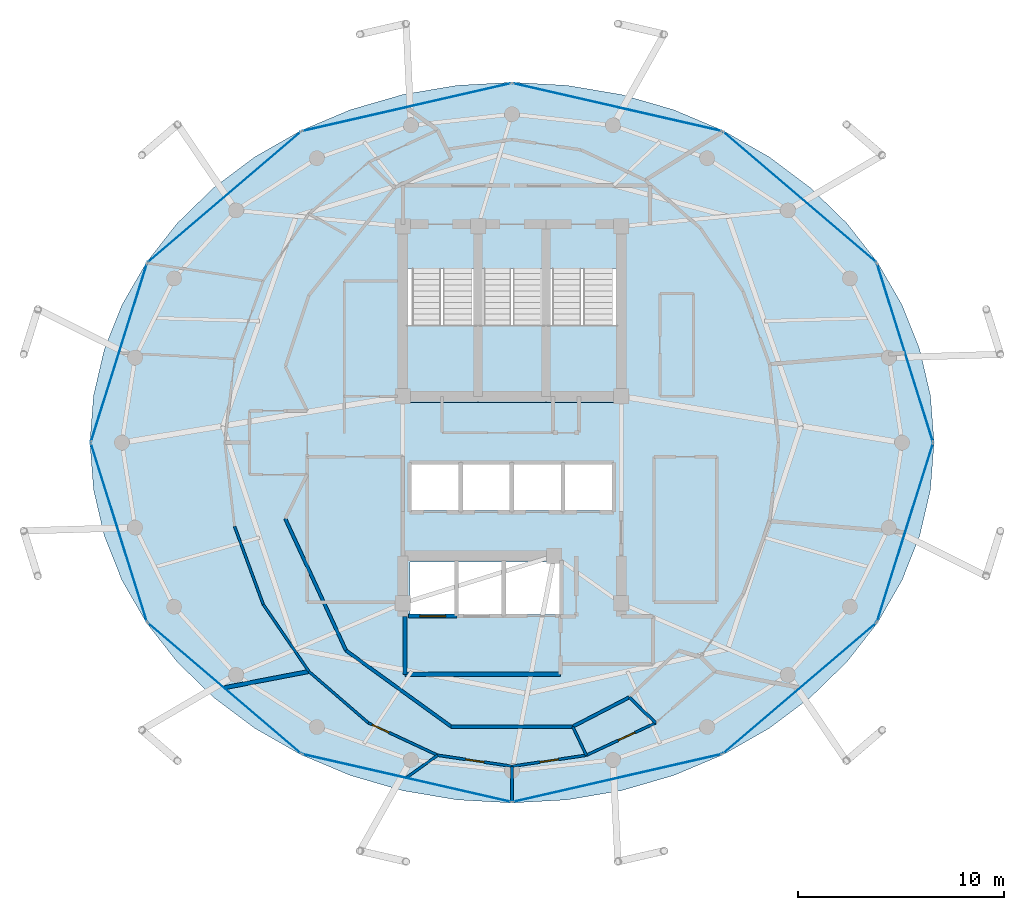
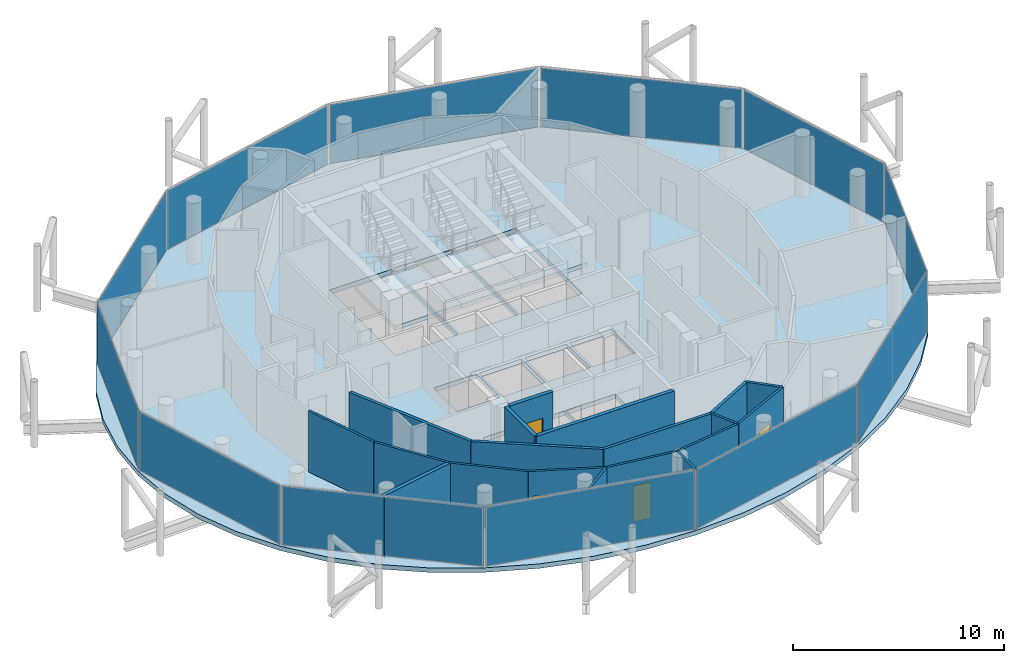
# One storey, part 19 of 24: 19 walls, 12 plates, 5 doors, 4 slabs, 5 openings, 15 elements without a shape of their own.
"""IFC4 building model written with IfcOpenShell, lengths in metres."""

from ifc_helpers import new_model, si_unit, direction, frame, frame_2d, origin, origin_2d, place, context, subcontext, project, spatial, polyline, rectangle, outline, extrude, material, layer, layer_set, type_object, element, fill, aggregate, save


model = new_model("IFC4")

# Units and contexts
model_context = context("Model", 3, precision=1e-05, world=origin(), true_north=direction((0.0, 1.0)))
body_context = subcontext(model_context, "Body", "Model", "MODEL_VIEW")
ifc_project = project(units=[si_unit("LENGTHUNIT", "METRE"), si_unit("AREAUNIT", "SQUARE_METRE"), si_unit("VOLUMEUNIT", "CUBIC_METRE"), si_unit("PLANEANGLEUNIT", "RADIAN"), si_unit("MASSUNIT", "GRAM", prefix="KILO")], contexts=[model_context])

# Site, building, storey
site_placement = place(None, origin())
site = spatial("IfcSite", under=ifc_project, at=site_placement, CompositionType="ELEMENT")
building_placement = place(site_placement, origin())
building = spatial("IfcBuilding", under=site, at=building_placement, Name="Nuhasar Tower", CompositionType="ELEMENT")
storey_placement = place(building_placement, frame((0.0, 0.0, 282.199951171875)))
storey = spatial("IfcBuildingStorey", under=building, at=storey_placement, Name="L70", CompositionType="ELEMENT", Elevation=282.199951171875)

# Curtain wall, plate
ifc_material_1 = material(Name="Aluminium 6063-T6", Category="aluminium")
ifc_layer_1 = layer(ifc_material_1, 0.18994140625)
ifc_layer_set_1 = layer_set([ifc_layer_1], Name="Aluminium 6063-T6")
curtain_wall_type = type_object("IfcCurtainWallType", Name="CW-Z4-PEN", PredefinedType="NOTDEFINED", material=ifc_layer_set_1)
curtain_wall_1_placement = place(storey_placement, origin())
curtain_wall_1 = element("IfcCurtainWall", 1, at=curtain_wall_1_placement, inside=storey, type_object=curtain_wall_type, Name="L70 Unitised Curtain Wall 01", PredefinedType="NOTDEFINED")
ifc_material_2 = material(Name="Glass Double Low-E", Category="glass")
ifc_layer_2 = layer(ifc_material_2, 0.028076171875)
ifc_layer_set_2 = layer_set([ifc_layer_2], Name="Glass Double Low-E")
plate_type = type_object("IfcPlateType", Name="CW-PANEL-GLZ", PredefinedType="CURTAIN_PANEL", material=ifc_layer_set_2)
plate_1_placement = place(storey_placement, frame((58.089599609375, 31.1650390625, 0.06005859375), z_axis=(0.0, 0.0, 1.0), x_axis=(-0.299556614146, 0.954078526601, 0.0)))
plate_1 = element("IfcPlate", 2, at=plate_1_placement, type_object=plate_type, Name="CW-Z4 panel 1.1", PredefinedType="CURTAIN_PANEL", context=body_context, shape_type="SweptSolid", body=[
    extrude(rectangle(XDim=9.0302734375, YDim=0.028076171875, at=origin_2d()), origin(), (0.0, 0.0, 1.0), 3.419921875),
])
aggregate(curtain_wall_1, [plate_1])

curtain_wall_2_placement = place(storey_placement, origin())
curtain_wall_2 = element("IfcCurtainWall", 3, at=curtain_wall_2_placement, inside=storey, type_object=curtain_wall_type, Name="L70 Unitised Curtain Wall 02", PredefinedType="NOTDEFINED")
plate_2_placement = place(storey_placement, frame((52.974609375, 38.7255859375, 0.06005859375), z_axis=(0.0, 0.0, 1.0), x_axis=(-0.760667252327, 0.649141996205, 0.0)))
plate_2 = element("IfcPlate", 4, at=plate_2_placement, type_object=plate_type, Name="CW-Z4 panel 1.1", PredefinedType="CURTAIN_PANEL", context=body_context, shape_type="SweptSolid", body=[
    extrude(rectangle(XDim=9.725341796875, YDim=0.028076171875, at=origin_2d()), origin(), (0.0, 0.0, 1.0), 3.419921875),
])
aggregate(curtain_wall_2, [plate_2])

curtain_wall_3_placement = place(storey_placement, origin())
curtain_wall_3 = element("IfcCurtainWall", 5, at=curtain_wall_3_placement, inside=storey, type_object=curtain_wall_type, Name="L70 Unitised Curtain Wall 03", PredefinedType="NOTDEFINED")
plate_3_placement = place(storey_placement, frame((44.114990234375, 43.090576171875, 0.06005859375), z_axis=(0.0, 0.0, 1.0), x_axis=(-0.97484371891, 0.222889487645, 0.0)))
plate_3 = element("IfcPlate", 6, at=plate_3_placement, type_object=plate_type, Name="CW-Z4 panel 1.1", PredefinedType="CURTAIN_PANEL", context=body_context, shape_type="SweptSolid", body=[
    extrude(rectangle(XDim=10.3740234375, YDim=0.028076171875, at=origin_2d()), origin(), (0.0, 0.0, 1.0), 3.419921875),
])
aggregate(curtain_wall_3, [plate_3])

curtain_wall_4_placement = place(storey_placement, origin())
curtain_wall_4 = element("IfcCurtainWall", 7, at=curtain_wall_4_placement, inside=storey, type_object=curtain_wall_type, Name="L70 Unitised Curtain Wall 04", PredefinedType="NOTDEFINED")
plate_4_placement = place(storey_placement, frame((33.885009765625, 43.090576171875, 0.06005859375), z_axis=(0.0, 0.0, 1.0), x_axis=(-0.97484371891, -0.222889487645, 0.0)))
plate_4 = element("IfcPlate", 8, at=plate_4_placement, type_object=plate_type, Name="CW-Z4 panel 1.1", PredefinedType="CURTAIN_PANEL", context=body_context, shape_type="SweptSolid", body=[
    extrude(rectangle(XDim=10.3740234375, YDim=0.028076171875, at=origin_2d()), origin(), (0.0, 0.0, 1.0), 3.419921875),
])
aggregate(curtain_wall_4, [plate_4])

curtain_wall_5_placement = place(storey_placement, origin())
curtain_wall_5 = element("IfcCurtainWall", 9, at=curtain_wall_5_placement, inside=storey, type_object=curtain_wall_type, Name="L70 Unitised Curtain Wall 05", PredefinedType="NOTDEFINED")
plate_5_placement = place(storey_placement, frame((25.025390625, 38.7255859375, 0.06005859375), z_axis=(0.0, 0.0, 1.0), x_axis=(-0.760667252327, -0.649141996205, 0.0)))
plate_5 = element("IfcPlate", 10, at=plate_5_placement, type_object=plate_type, Name="CW-Z4 panel 1.1", PredefinedType="CURTAIN_PANEL", context=body_context, shape_type="SweptSolid", body=[
    extrude(rectangle(XDim=9.725341796875, YDim=0.028076171875, at=origin_2d()), origin(), (0.0, 0.0, 1.0), 3.419921875),
])
aggregate(curtain_wall_5, [plate_5])

curtain_wall_6_placement = place(storey_placement, origin())
curtain_wall_6 = element("IfcCurtainWall", 11, at=curtain_wall_6_placement, inside=storey, type_object=curtain_wall_type, Name="L70 Unitised Curtain Wall 06", PredefinedType="NOTDEFINED")
plate_6_placement = place(storey_placement, frame((19.910400390625, 31.1650390625, 0.06005859375), z_axis=(0.0, 0.0, 1.0), x_axis=(-0.299556614146, -0.954078526601, 0.0)))
plate_6 = element("IfcPlate", 12, at=plate_6_placement, type_object=plate_type, Name="CW-Z4 panel 1.1", PredefinedType="CURTAIN_PANEL", context=body_context, shape_type="SweptSolid", body=[
    extrude(rectangle(XDim=9.0302734375, YDim=0.028076171875, at=origin_2d()), origin(), (0.0, 0.0, 1.0), 3.419921875),
])
aggregate(curtain_wall_6, [plate_6])

curtain_wall_7_placement = place(storey_placement, origin())
curtain_wall_7 = element("IfcCurtainWall", 13, at=curtain_wall_7_placement, inside=storey, type_object=curtain_wall_type, Name="L70 Unitised Curtain Wall 07", PredefinedType="NOTDEFINED")
plate_7_placement = place(storey_placement, frame((19.910400390625, 22.43505859375, 0.06005859375), z_axis=(0.0, 0.0, 1.0), x_axis=(0.299556614146, -0.954078526601, 0.0)))
plate_7 = element("IfcPlate", 14, at=plate_7_placement, type_object=plate_type, Name="CW-Z4 panel 1.1", PredefinedType="CURTAIN_PANEL", context=body_context, shape_type="SweptSolid", body=[
    extrude(rectangle(XDim=9.0302734375, YDim=0.028076171875, at=origin_2d()), origin(), (0.0, 0.0, 1.0), 3.419921875),
])
aggregate(curtain_wall_7, [plate_7])

curtain_wall_8_placement = place(storey_placement, origin())
curtain_wall_8 = element("IfcCurtainWall", 15, at=curtain_wall_8_placement, inside=storey, type_object=curtain_wall_type, Name="L70 Unitised Curtain Wall 08", PredefinedType="NOTDEFINED")
plate_8_placement = place(storey_placement, frame((25.025390625, 14.87451171875, 0.06005859375), z_axis=(0.0, 0.0, 1.0), x_axis=(0.760667252327, -0.649141996205, 0.0)))
plate_8 = element("IfcPlate", 16, at=plate_8_placement, type_object=plate_type, Name="CW-Z4 panel 1.1", PredefinedType="CURTAIN_PANEL", context=body_context, shape_type="SweptSolid", body=[
    extrude(rectangle(XDim=9.725341796875, YDim=0.028076171875, at=origin_2d()), origin(), (0.0, 0.0, 1.0), 3.419921875),
])
aggregate(curtain_wall_8, [plate_8])

curtain_wall_9_placement = place(storey_placement, origin())
curtain_wall_9 = element("IfcCurtainWall", 17, at=curtain_wall_9_placement, inside=storey, type_object=curtain_wall_type, Name="L70 Unitised Curtain Wall 09", PredefinedType="NOTDEFINED")
plate_9_placement = place(storey_placement, frame((33.885009765625, 10.509521484375, 0.06005859375), z_axis=(0.0, 0.0, 1.0), x_axis=(0.97484371891, -0.222889487645, 0.0)))
plate_9 = element("IfcPlate", 18, at=plate_9_placement, type_object=plate_type, Name="CW-Z4 panel 1.1", PredefinedType="CURTAIN_PANEL", context=body_context, shape_type="SweptSolid", body=[
    extrude(rectangle(XDim=10.3740234375, YDim=0.028076171875, at=origin_2d()), origin(), (0.0, 0.0, 1.0), 3.419921875),
])
aggregate(curtain_wall_9, [plate_9])

curtain_wall_10_placement = place(storey_placement, origin())
curtain_wall_10 = element("IfcCurtainWall", 19, at=curtain_wall_10_placement, inside=storey, type_object=curtain_wall_type, Name="L70 Unitised Curtain Wall 10", PredefinedType="NOTDEFINED")
plate_10_placement = place(storey_placement, frame((44.114990234375, 10.509521484375, 0.06005859375), z_axis=(0.0, 0.0, 1.0), x_axis=(0.97484371891, 0.222889487645, 0.0)))
plate_10 = element("IfcPlate", 20, at=plate_10_placement, type_object=plate_type, Name="CW-Z4 panel 1.1", PredefinedType="CURTAIN_PANEL", context=body_context, shape_type="SweptSolid", body=[
    extrude(rectangle(XDim=10.3740234375, YDim=0.028076171875, at=origin_2d()), origin(), (0.0, 0.0, 1.0), 3.419921875),
])
aggregate(curtain_wall_10, [plate_10])

curtain_wall_11_placement = place(storey_placement, origin())
curtain_wall_11 = element("IfcCurtainWall", 21, at=curtain_wall_11_placement, inside=storey, type_object=curtain_wall_type, Name="L70 Unitised Curtain Wall 11", PredefinedType="NOTDEFINED")
plate_11_placement = place(storey_placement, frame((52.974609375, 14.87451171875, 0.06005859375), z_axis=(0.0, 0.0, 1.0), x_axis=(0.760667252327, 0.649141996205, 0.0)))
plate_11 = element("IfcPlate", 22, at=plate_11_placement, type_object=plate_type, Name="CW-Z4 panel 1.1", PredefinedType="CURTAIN_PANEL", context=body_context, shape_type="SweptSolid", body=[
    extrude(rectangle(XDim=9.725341796875, YDim=0.028076171875, at=origin_2d()), origin(), (0.0, 0.0, 1.0), 3.419921875),
])
aggregate(curtain_wall_11, [plate_11])

curtain_wall_12_placement = place(storey_placement, origin())
curtain_wall_12 = element("IfcCurtainWall", 23, at=curtain_wall_12_placement, inside=storey, type_object=curtain_wall_type, Name="L70 Unitised Curtain Wall 12", PredefinedType="NOTDEFINED")
plate_12_placement = place(storey_placement, frame((58.089599609375, 22.43505859375, 0.06005859375), z_axis=(0.0, 0.0, 1.0), x_axis=(0.299556614146, 0.954078526601, 0.0)))
plate_12 = element("IfcPlate", 24, at=plate_12_placement, type_object=plate_type, Name="CW-Z4 panel 1.1", PredefinedType="CURTAIN_PANEL", context=body_context, shape_type="SweptSolid", body=[
    extrude(rectangle(XDim=9.0302734375, YDim=0.028076171875, at=origin_2d()), origin(), (0.0, 0.0, 1.0), 3.419921875),
])
aggregate(curtain_wall_12, [plate_12])

# Stair, slab
ifc_material_3 = material(Name="Concrete C45/55", Category="concrete")
stair_type_1 = type_object("IfcStairType", Name="STR-ST-01-2F-22R-1727", PredefinedType="HALF_TURN_STAIR", material=ifc_material_3)
stair_1_placement = place(storey_placement, origin())
stair_1 = element("IfcStair", 25, at=stair_1_placement, inside=storey, type_object=stair_type_1, Name="L70 Exit Stair ST-01", PredefinedType="HALF_TURN_STAIR")
ifc_layer_3 = layer(ifc_material_3, 0.239990234375)
ifc_layer_set_3 = layer_set([ifc_layer_3], Name="Concrete C45/55")
slab_type_1 = type_object("IfcSlabType", Name="SLB-STAIR-LND-240", PredefinedType="LANDING", material=ifc_layer_set_3)
slab_1_placement = place(storey_placement, frame((0.0, 0.0, 1.66015625)))
slab_1 = element("IfcSlab", 26, at=slab_1_placement, type_object=slab_type_1, Name="ST-01 landing 1", PredefinedType="LANDING", context=body_context, shape_type="SweptSolid", body=[
    extrude(outline(polyline([(33.699951171875, 28.75), (37.35009765625, 28.75), (37.35009765625, 32.52001953125), (33.699951171875, 32.52001953125), (33.699951171875, 28.75)])), origin(), (0.0, 0.0, 1.0), 0.239990234375),
])
aggregate(stair_1, [slab_1])

stair_type_2 = type_object("IfcStairType", Name="STR-ST-03-2F-22R-1727", PredefinedType="HALF_TURN_STAIR", material=ifc_material_3)
stair_2_placement = place(storey_placement, origin())
stair_2 = element("IfcStair", 27, at=stair_2_placement, inside=storey, type_object=stair_type_2, Name="L70 Exit Stair ST-03", PredefinedType="HALF_TURN_STAIR")
slab_2_placement = place(storey_placement, frame((0.0, 0.0, 1.66015625)))
slab_2 = element("IfcSlab", 28, at=slab_2_placement, type_object=slab_type_1, Name="ST-03 landing 1", PredefinedType="LANDING", context=body_context, shape_type="SweptSolid", body=[
    extrude(outline(polyline([(37.35009765625, 28.75), (40.64990234375, 28.75), (40.64990234375, 32.52001953125), (37.35009765625, 32.52001953125), (37.35009765625, 28.75)])), origin(), (0.0, 0.0, 1.0), 0.239990234375),
])
aggregate(stair_2, [slab_2])

stair_type_3 = type_object("IfcStairType", Name="STR-ST-02-2F-22R-1727", PredefinedType="HALF_TURN_STAIR", material=ifc_material_3)
stair_3_placement = place(storey_placement, origin())
stair_3 = element("IfcStair", 29, at=stair_3_placement, inside=storey, type_object=stair_type_3, Name="L70 Exit Stair ST-02", PredefinedType="HALF_TURN_STAIR")
slab_3_placement = place(storey_placement, frame((0.0, 0.0, 1.66015625)))
slab_3 = element("IfcSlab", 30, at=slab_3_placement, type_object=slab_type_1, Name="ST-02 landing 1", PredefinedType="LANDING", context=body_context, shape_type="SweptSolid", body=[
    extrude(outline(polyline([(40.64990234375, 28.75), (44.300048828125, 28.75), (44.300048828125, 32.52001953125), (40.64990234375, 32.52001953125), (40.64990234375, 28.75)])), origin(), (0.0, 0.0, 1.0), 0.239990234375),
])
aggregate(stair_3, [slab_3])

# Slab
ifc_material_4 = material(Name="Concrete C50/60", Category="concrete")
ifc_layer_4 = layer(ifc_material_4, 0.260009765625)
ifc_layer_set_4 = layer_set([ifc_layer_4], Name="Concrete C50/60")
slab_type_2 = type_object("IfcSlabType", Name="SLB-Z1A-260", PredefinedType="FLOOR", material=ifc_layer_set_4)
slab_4_placement = place(storey_placement, frame((0.0, 0.0, -0.260009765625)))
element("IfcSlab", 31, at=slab_4_placement, inside=storey, type_object=slab_type_2, Name="L70 Structural Slab", PredefinedType="FLOOR", context=body_context, shape_type="SweptSolid", body=[
    extrude(outline(polyline([(59.5, 26.800048828125), (59.324951171875, 29.083984375), (58.801025390625, 31.3291015625), (57.93994140625, 33.4970703125), (56.75390625, 35.550048828125), (55.263916015625, 37.452880859375), (53.49609375, 39.174072265625), (51.47998046875, 40.68408203125), (49.25, 41.955078125), (46.844970703125, 42.968017578125), (44.305908203125, 43.7041015625), (41.676025390625, 44.14990234375), (39.0, 44.300048828125), (36.323974609375, 44.14990234375), (33.694091796875, 43.7041015625), (31.155029296875, 42.968017578125), (28.75, 41.955078125), (26.52001953125, 40.68408203125), (24.50390625, 39.174072265625), (22.736083984375, 37.452880859375), (21.24609375, 35.550048828125), (20.06005859375, 33.4970703125), (19.198974609375, 31.3291015625), (18.675048828125, 29.083984375), (18.5, 26.800048828125), (18.675048828125, 24.51611328125), (19.198974609375, 22.27099609375), (20.06005859375, 20.10302734375), (21.24609375, 18.050048828125), (22.736083984375, 16.14697265625), (24.50390625, 14.426025390625), (26.52001953125, 12.916015625), (28.75, 11.64501953125), (31.155029296875, 10.632080078125), (33.694091796875, 9.89599609375), (36.323974609375, 9.449951171875), (39.0, 9.300048828125), (41.676025390625, 9.449951171875), (44.305908203125, 9.89599609375), (46.844970703125, 10.632080078125), (49.25, 11.64501953125), (51.47998046875, 12.916015625), (53.49609375, 14.426025390625), (55.263916015625, 16.14697265625), (56.75390625, 18.050048828125), (57.93994140625, 20.10302734375), (58.801025390625, 22.27099609375), (59.324951171875, 24.51611328125), (59.5, 26.800048828125)]), holes=[polyline([(33.8798828125, 35.25), (37.300048828125, 35.25), (37.300048828125, 29.0), (33.8798828125, 29.0), (33.8798828125, 35.25)]), polyline([(37.39990234375, 35.25), (40.60009765625, 35.25), (40.60009765625, 29.0), (37.39990234375, 29.0), (37.39990234375, 35.25)]), polyline([(40.699951171875, 35.25), (44.1201171875, 35.25), (44.1201171875, 29.0), (40.699951171875, 29.0), (40.699951171875, 35.25)]), polyline([(34.10009765625, 25.75), (36.43994140625, 25.75), (36.43994140625, 23.5), (34.10009765625, 23.5), (34.10009765625, 25.75)]), polyline([(36.580078125, 25.75), (38.919921875, 25.75), (38.919921875, 23.5), (36.580078125, 23.5), (36.580078125, 25.75)]), polyline([(39.06005859375, 25.75), (41.39990234375, 25.75), (41.39990234375, 23.5), (39.06005859375, 23.5), (39.06005859375, 25.75)]), polyline([(41.5400390625, 25.75), (43.8798828125, 25.75), (43.8798828125, 23.5), (41.5400390625, 23.5), (41.5400390625, 25.75)]), polyline([(34.050048828125, 21.0), (36.25, 21.0), (36.25, 18.449951171875), (34.050048828125, 18.449951171875), (34.050048828125, 21.0)]), polyline([(36.35009765625, 21.0), (38.550048828125, 21.0), (38.550048828125, 18.449951171875), (36.35009765625, 18.449951171875), (36.35009765625, 21.0)]), polyline([(38.64990234375, 21.0), (41.320068359375, 21.0), (41.320068359375, 18.449951171875), (38.64990234375, 18.449951171875), (38.64990234375, 21.0)])]), origin(), (0.0, 0.0, 1.0), 0.260009765625),
])

# Walls
ifc_material_5 = material(Name="Gypsum Board", Category="gypsum")
ifc_layer_5 = layer(ifc_material_5, 0.159912109375)
ifc_layer_set_5 = layer_set([ifc_layer_5], Name="Gypsum Board")
wall_type_1 = type_object("IfcWallType", Name="WL-CORR-160", PredefinedType="PARTITIONING", material=ifc_layer_set_5)
wall_1_placement = place(storey_placement, frame((27.988037109375, 23.10400390625, 0.0), z_axis=(0.0, 0.0, 1.0), x_axis=(0.418656179426, -0.908144814128, 0.0)))
element("IfcWall", 32, at=wall_1_placement, inside=storey, type_object=wall_type_1, Name="L70 Interior Partition UWEST-CORE-S1-26", PredefinedType="PARTITIONING", context=body_context, shape_type="SweptSolid", body=[
    extrude(rectangle(XDim=7.048583984375, YDim=0.159912109375, at=frame_2d((3.5244140625, 0.0))), origin(), (0.0, 0.0, 1.0), 3.5400390625),
])
wall_2_placement = place(storey_placement, frame((30.93896484375, 16.702880859375, 0.0), z_axis=(0.0, 0.0, 1.0), x_axis=(0.810290119061, -0.586028943784, 0.0)))
element("IfcWall", 33, at=wall_2_placement, inside=storey, type_object=wall_type_1, Name="L70 Interior Partition UWEST-CORE-S1-30", PredefinedType="PARTITIONING", context=body_context, shape_type="SweptSolid", body=[
    extrude(rectangle(XDim=6.306396484375, YDim=0.159912109375, at=frame_2d((3.1533203125, 0.0))), origin(), (0.0, 0.0, 1.0), 3.5400390625),
])
wall_3_placement = place(storey_placement, frame((36.049072265625, 13.007080078125, 0.0), z_axis=(0.0, 0.0, 1.0), x_axis=(1.0, 0.0, 0.0)))
element("IfcWall", 34, at=wall_3_placement, inside=storey, type_object=wall_type_1, Name="L70 Interior Partition UWEST-CORE-S1-34", PredefinedType="PARTITIONING", context=body_context, shape_type="SweptSolid", body=[
    extrude(rectangle(XDim=5.90185546875, YDim=0.159912109375, at=frame_2d((2.950927734375, 0.0))), origin(), (0.0, 0.0, 1.0), 3.5400390625),
])
wall_4_placement = place(storey_placement, frame((41.950927734375, 13.007080078125, 0.0), z_axis=(0.0, 0.0, 1.0), x_axis=(0.887674575788, 0.460471331898, 0.0)))
element("IfcWall", 35, at=wall_4_placement, inside=storey, type_object=wall_type_1, Name="L70 Interior Partition UWEST-CORE-S1-38", PredefinedType="PARTITIONING", context=body_context, shape_type="SweptSolid", body=[
    extrude(rectangle(XDim=3.096923828125, YDim=0.159912109375, at=frame_2d((1.54833984375, 0.0))), origin(), (0.0, 0.0, 1.0), 3.5400390625),
])
ifc_layer_6 = layer(ifc_material_3, 0.199951171875)
ifc_layer_set_6 = layer_set([ifc_layer_6], Name="Concrete C45/55")
wall_type_2 = type_object("IfcWallType", Name="WL-LOBBY-200", PredefinedType="SOLIDWALL", material=ifc_layer_set_6)
wall_5_placement = place(storey_placement, frame((33.800048828125, 15.550048828125, 0.0), z_axis=(0.0, 0.0, 1.0), x_axis=(1.0, 0.0, 0.0)))
element("IfcWall", 36, at=wall_5_placement, inside=storey, type_object=wall_type_2, Name="L70 Interior Partition FFL-S", PredefinedType="SOLIDWALL", context=body_context, shape_type="SweptSolid", body=[
    extrude(rectangle(XDim=7.550048828125, YDim=0.199951171875, at=frame_2d((3.77490234375, 0.0))), origin(), (0.0, 0.0, 1.0), 3.5400390625),
])
wall_6_placement = place(storey_placement, frame((33.800048828125, 15.550048828125, 0.0), z_axis=(0.0, 0.0, 1.0), x_axis=(0.0, 1.0, 0.0)))
element("IfcWall", 37, at=wall_6_placement, inside=storey, type_object=wall_type_2, Name="L70 Interior Partition FFL-W", PredefinedType="SOLIDWALL", context=body_context, shape_type="SweptSolid", body=[
    extrude(rectangle(XDim=2.800048828125, YDim=0.199951171875, at=frame_2d((1.39990234375, 0.0))), origin(), (0.0, 0.0, 1.0), 3.5400390625),
])
ifc_layer_7 = layer(ifc_material_5, 0.125)
ifc_layer_set_7 = layer_set([ifc_layer_7], Name="Gypsum Board")
wall_type_3 = type_object("IfcWallType", Name="WL-PART-125", PredefinedType="PARTITIONING", material=ifc_layer_set_7)
wall_7_placement = place(storey_placement, frame((25.52490234375, 22.73095703125, 0.0), z_axis=(0.0, 0.0, 1.0), x_axis=(0.345128286029, -0.938555521097, 0.0)))
element("IfcWall", 38, at=wall_7_placement, inside=storey, type_object=wall_type_3, Name="L70 Interior Partition USM-1-D-26", PredefinedType="PARTITIONING", context=body_context, shape_type="SweptSolid", body=[
    extrude(rectangle(XDim=4.039306640625, YDim=0.125, at=frame_2d((2.01953125, 0.0))), origin(), (0.0, 0.0, 1.0), 3.5400390625),
])
wall_8_placement = place(storey_placement, frame((26.9189453125, 18.93994140625, 0.0), z_axis=(0.0, 0.0, 1.0), x_axis=(0.562840533245, -0.826565505049, 0.0)))
element("IfcWall", 39, at=wall_8_placement, inside=storey, type_object=wall_type_3, Name="L70 Interior Partition USM-1-D-28", PredefinedType="PARTITIONING", context=body_context, shape_type="SweptSolid", body=[
    extrude(rectangle(XDim=3.93896484375, YDim=0.125, at=frame_2d((1.969482421875, 0.0))), origin(), (0.0, 0.0, 1.0), 3.5400390625),
])

# Wall, opening, door
wall_9_placement = place(storey_placement, frame((45.97509765625, 13.18603515625, 0.0), z_axis=(0.0, 0.0, 1.0), x_axis=(-0.906162977721, -0.422928667517, 0.0)))
wall_9 = element("IfcWall", 40, at=wall_9_placement, inside=storey, type_object=wall_type_3, Name="L70 Interior Partition USM-2-K-38", PredefinedType="PARTITIONING", context=body_context, shape_type="SweptSolid", body=[
    extrude(rectangle(XDim=3.71240234375, YDim=0.125, at=frame_2d((1.856201171875, 0.0))), origin(), (0.0, 0.0, 1.0), 3.5400390625),
])
opening_1_placement = place(wall_9_placement, frame((1.10400390625, 0.0, 0.0)))
opening_1 = element("IfcOpeningElement", 41, at=opening_1_placement, cuts=wall_9, Name="Opening DR-01", PredefinedType="OPENING", context=body_context, shape_type="SweptSolid", body=[
    extrude(rectangle(XDim=0.89990234375, YDim=2.10009765625, at=frame_2d((0.449951171875, 1.050048828125))), frame((0.0, 0.072509765625, 0.0), z_axis=(0.0, -1.0, 0.0), x_axis=(1.0, 0.0, 0.0)), (0.0, 0.0, 1.0), 0.14501953125),
])
ifc_material_6 = material(Name="Timber Oak", Category="wood")
door_type_1 = type_object("IfcDoorType", Name="DR-ROOM-900", OperationType="NOTDEFINED", PredefinedType="DOOR", material=ifc_material_6)
door_1_placement = place(opening_1_placement, origin())
door_1 = element("IfcDoor", 42, at=door_1_placement, inside=storey, type_object=door_type_1, Name="L70 South-West Sky Home Kitchen Door", OperationType="SINGLE_SWING_LEFT", OverallHeight=2.10009765625, OverallWidth=0.89990234375, PredefinedType="DOOR", context=body_context, shape_type="SweptSolid", body=[
    extrude(rectangle(XDim=0.89990234375, YDim=2.10009765625, at=frame_2d((0.449951171875, 1.050048828125))), frame((0.0, 0.02490234375, 0.0), z_axis=(0.0, -1.0, 0.0), x_axis=(1.0, 0.0, 0.0)), (0.0, 0.0, 1.0), 0.050048828125),
])
fill(opening_1, door_1)

# Walls
wall_10_placement = place(storey_placement, frame((41.950927734375, 13.007080078125, 0.0), z_axis=(0.0, 0.0, 1.0), x_axis=(0.428726905473, -0.903434137347, 0.0)))
element("IfcWall", 43, at=wall_10_placement, inside=storey, type_object=wall_type_3, Name="L70 Interior Partition USI-2-DK", PredefinedType="PARTITIONING", context=body_context, shape_type="SweptSolid", body=[
    extrude(rectangle(XDim=1.539794921875, YDim=0.125, at=frame_2d((0.77001953125, 0.0))), origin(), (0.0, 0.0, 1.0), 3.5400390625),
])
wall_11_placement = place(storey_placement, frame((29.135986328125, 15.68408203125, 0.0), z_axis=(0.0, 0.0, 1.0), x_axis=(0.756424716633, -0.654080765706, 0.0)))
element("IfcWall", 44, at=wall_11_placement, inside=storey, type_object=wall_type_3, Name="L70 Interior Partition USM-2-D-30", PredefinedType="PARTITIONING", context=body_context, shape_type="SweptSolid", body=[
    extrude(rectangle(XDim=3.819091796875, YDim=0.125, at=frame_2d((1.90966796875, 0.0))), origin(), (0.0, 0.0, 1.0), 3.5400390625),
])

# Wall, opening, door
wall_12_placement = place(storey_placement, frame((35.388916015625, 11.615966796875, 0.0), z_axis=(0.0, 0.0, 1.0), x_axis=(-0.906162977721, 0.422928667517, 0.0)))
wall_12 = element("IfcWall", 45, at=wall_12_placement, inside=storey, type_object=wall_type_3, Name="L70 Interior Partition USM-2-D-32", PredefinedType="PARTITIONING", context=body_context, shape_type="SweptSolid", body=[
    extrude(rectangle(XDim=3.71240234375, YDim=0.125, at=frame_2d((1.856201171875, 0.0))), origin(), (0.0, 0.0, 1.0), 3.5400390625),
])
opening_2_placement = place(wall_12_placement, frame((2.612060546875, 0.0, 0.0)))
opening_2 = element("IfcOpeningElement", 46, at=opening_2_placement, cuts=wall_12, Name="Opening DR-01", PredefinedType="OPENING", context=body_context, shape_type="SweptSolid", body=[
    extrude(rectangle(XDim=0.89990234375, YDim=2.10009765625, at=frame_2d((0.449951171875, 1.050048828125))), frame((0.0, 0.072509765625, 0.0), z_axis=(0.0, -1.0, 0.0), x_axis=(1.0, 0.0, 0.0)), (0.0, 0.0, 1.0), 0.14501953125),
])
door_2_placement = place(opening_2_placement, origin())
door_2 = element("IfcDoor", 47, at=door_2_placement, inside=storey, type_object=door_type_1, Name="L70 South-West Sky Home Living Door", OperationType="SINGLE_SWING_RIGHT", OverallHeight=2.10009765625, OverallWidth=0.89990234375, PredefinedType="DOOR", context=body_context, shape_type="SweptSolid", body=[
    extrude(rectangle(XDim=0.89990234375, YDim=2.10009765625, at=frame_2d((0.449951171875, 1.050048828125))), frame((0.0, 0.02490234375, 0.0), z_axis=(0.0, -1.0, 0.0), x_axis=(1.0, 0.0, 0.0)), (0.0, 0.0, 1.0), 0.050048828125),
])
fill(opening_2, door_2)

wall_13_placement = place(storey_placement, frame((39.0, 11.080078125, 0.0), z_axis=(0.0, 0.0, 1.0), x_axis=(-0.989167166266, 0.146793450744, 0.0)))
wall_13 = element("IfcWall", 48, at=wall_13_placement, inside=storey, type_object=wall_type_3, Name="L70 Interior Partition USM-2-D-34", PredefinedType="PARTITIONING", context=body_context, shape_type="SweptSolid", body=[
    extrude(rectangle(XDim=3.650634765625, YDim=0.125, at=frame_2d((1.8251953125, 0.0))), origin(), (0.0, 0.0, 1.0), 3.5400390625),
])
opening_3_placement = place(wall_13_placement, frame((1.375, 0.0, 0.0)))
opening_3 = element("IfcOpeningElement", 49, at=opening_3_placement, cuts=wall_13, Name="Opening DR-01", PredefinedType="OPENING", context=body_context, shape_type="SweptSolid", body=[
    extrude(rectangle(XDim=0.89990234375, YDim=2.10009765625, at=frame_2d((0.449951171875, 1.050048828125))), frame((0.0, 0.072509765625, 0.0), z_axis=(0.0, -1.0, 0.0), x_axis=(1.0, 0.0, 0.0)), (0.0, 0.0, 1.0), 0.14501953125),
])
door_3_placement = place(opening_3_placement, origin())
door_3 = element("IfcDoor", 50, at=door_3_placement, inside=storey, type_object=door_type_1, Name="L70 South-West Sky Home Study Door", OperationType="SINGLE_SWING_LEFT", OverallHeight=2.10009765625, OverallWidth=0.89990234375, PredefinedType="DOOR", context=body_context, shape_type="SweptSolid", body=[
    extrude(rectangle(XDim=0.89990234375, YDim=2.10009765625, at=frame_2d((0.449951171875, 1.050048828125))), frame((0.0, 0.02490234375, 0.0), z_axis=(0.0, -1.0, 0.0), x_axis=(1.0, 0.0, 0.0)), (0.0, 0.0, 1.0), 0.050048828125),
])
fill(opening_3, door_3)

wall_14_placement = place(storey_placement, frame((42.611083984375, 11.615966796875, 0.0), z_axis=(0.0, 0.0, 1.0), x_axis=(-0.989167166266, -0.146793450744, 0.0)))
wall_14 = element("IfcWall", 51, at=wall_14_placement, inside=storey, type_object=wall_type_3, Name="L70 Interior Partition USM-2-D-36", PredefinedType="PARTITIONING", context=body_context, shape_type="SweptSolid", body=[
    extrude(rectangle(XDim=3.650634765625, YDim=0.125, at=frame_2d((1.8251953125, 0.0))), origin(), (0.0, 0.0, 1.0), 3.5400390625),
])
opening_4_placement = place(wall_14_placement, frame((1.375, 0.0, 0.0)))
opening_4 = element("IfcOpeningElement", 52, at=opening_4_placement, cuts=wall_14, Name="Opening DR-01", PredefinedType="OPENING", context=body_context, shape_type="SweptSolid", body=[
    extrude(rectangle(XDim=0.89990234375, YDim=2.10009765625, at=frame_2d((0.449951171875, 1.050048828125))), frame((0.0, 0.072509765625, 0.0), z_axis=(0.0, -1.0, 0.0), x_axis=(1.0, 0.0, 0.0)), (0.0, 0.0, 1.0), 0.14501953125),
])
door_4_placement = place(opening_4_placement, origin())
door_4 = element("IfcDoor", 53, at=door_4_placement, inside=storey, type_object=door_type_1, Name="L70 South-West Sky Home Master Bedroom Door", OperationType="SINGLE_SWING_RIGHT", OverallHeight=2.10009765625, OverallWidth=0.89990234375, PredefinedType="DOOR", context=body_context, shape_type="SweptSolid", body=[
    extrude(rectangle(XDim=0.89990234375, YDim=2.10009765625, at=frame_2d((0.449951171875, 1.050048828125))), frame((0.0, 0.02490234375, 0.0), z_axis=(0.0, -1.0, 0.0), x_axis=(1.0, 0.0, 0.0)), (0.0, 0.0, 1.0), 0.050048828125),
])
fill(opening_4, door_4)

# Walls
wall_15_placement = place(storey_placement, frame((35.388916015625, 11.615966796875, 0.0), z_axis=(0.0, 0.0, 1.0), x_axis=(-0.812386585373, -0.58311922958, 0.0)))
element("IfcWall", 54, at=wall_15_placement, inside=storey, type_object=wall_type_3, Name="L70 Interior Partition USO-2-B1", PredefinedType="PARTITIONING", context=body_context, shape_type="SweptSolid", body=[
    extrude(rectangle(XDim=1.840087890625, YDim=0.125, at=frame_2d((0.919921875, 0.0))), origin(), (0.0, 0.0, 1.0), 3.5400390625),
])
wall_16_placement = place(storey_placement, frame((39.0, 11.080078125, 0.0), z_axis=(0.0, 0.0, 1.0), x_axis=(0.0, -1.0, 0.0)))
element("IfcWall", 55, at=wall_16_placement, inside=storey, type_object=wall_type_3, Name="L70 Interior Partition USO-2-B2", PredefinedType="PARTITIONING", context=body_context, shape_type="SweptSolid", body=[
    extrude(rectangle(XDim=1.705078125, YDim=0.125, at=frame_2d((0.8525390625, 0.0))), origin(), (0.0, 0.0, 1.0), 3.5400390625),
])

# Wall, opening, door
ifc_layer_8 = layer(ifc_material_3, 0.199951171875)
ifc_layer_set_8 = layer_set([ifc_layer_8], Name="Concrete C45/55")
wall_type_4 = type_object("IfcWallType", Name="WL-SHAFT-200", PredefinedType="SOLIDWALL", material=ifc_layer_set_8)
wall_17_placement = place(storey_placement, frame((33.969970703125, 18.3701171875, 0.0), z_axis=(0.0, 0.0, 1.0), x_axis=(1.0, 0.0, 0.0)))
wall_17 = element("IfcWall", 56, at=wall_17_placement, inside=storey, type_object=wall_type_4, Name="L70 Interior Partition SHF-FFL-01-S", PredefinedType="SOLIDWALL", context=body_context, shape_type="SweptSolid", body=[
    extrude(rectangle(XDim=2.360107421875, YDim=0.199951171875, at=frame_2d((1.18017578125, 0.0))), origin(), (0.0, 0.0, 1.0), 3.5400390625),
])
opening_5_placement = place(wall_17_placement, frame((0.554931640625, 0.0, 0.0)))
opening_5 = element("IfcOpeningElement", 57, at=opening_5_placement, cuts=wall_17, Name="Opening LD-F01", PredefinedType="OPENING", context=body_context, shape_type="SweptSolid", body=[
    extrude(rectangle(XDim=1.25, YDim=2.199951171875, at=frame_2d((0.625, 1.10009765625))), frame((0.0, 0.10986328125, 0.0), z_axis=(0.0, -1.0, 0.0), x_axis=(1.0, 0.0, 0.0)), (0.0, 0.0, 1.0), 0.219970703125),
])
ifc_material_7 = material(Name="Stainless Steel 316L", Category="steel")
door_type_2 = type_object("IfcDoorType", Name="LD-FFL-1250", OperationType="DOUBLE_DOOR_SLIDING", PredefinedType="DOOR", material=ifc_material_7)
door_5_placement = place(opening_5_placement, origin())
door_5 = element("IfcDoor", 58, at=door_5_placement, inside=storey, type_object=door_type_2, Name="L70 Lift Landing Door FFL-01", OperationType="DOUBLE_DOOR_SLIDING", OverallHeight=2.199951171875, OverallWidth=1.25, PredefinedType="DOOR", context=body_context, shape_type="SweptSolid", body=[
    extrude(rectangle(XDim=1.25, YDim=2.199951171875, at=frame_2d((0.625, 1.10009765625))), frame((0.0, 0.02490234375, 0.0), z_axis=(0.0, -1.0, 0.0), x_axis=(1.0, 0.0, 0.0)), (0.0, 0.0, 1.0), 0.050048828125),
])
fill(opening_5, door_5)

# Walls
ifc_material_8 = material(Name="Concrete C40/50 precast", Category="concrete")
ifc_layer_9 = layer(ifc_material_8, 0.199951171875)
ifc_layer_set_9 = layer_set([ifc_layer_9], Name="Concrete C40/50 precast")
wall_type_5 = type_object("IfcWallType", Name="WL-UNIT-200", PredefinedType="PARTITIONING", material=ifc_layer_set_9)
wall_18_placement = place(storey_placement, frame((29.135986328125, 15.68408203125, 0.0), z_axis=(0.0, 0.0, 1.0), x_axis=(-0.982041578383, -0.188664618643, 0.0)))
element("IfcWall", 59, at=wall_18_placement, inside=storey, type_object=wall_type_5, Name="L70 Interior Partition UWEST-PARTY-OUT", PredefinedType="PARTITIONING", context=body_context, shape_type="SweptSolid", body=[
    extrude(rectangle(XDim=4.16162109375, YDim=0.199951171875, at=frame_2d((2.080810546875, 0.0))), origin(), (0.0, 0.0, 1.0), 3.5400390625),
])
ifc_layer_10 = layer(ifc_material_8, 0.139892578125)
ifc_layer_set_10 = layer_set([ifc_layer_10], Name="Concrete C40/50 precast")
wall_type_6 = type_object("IfcWallType", Name="WL-WET-140", PredefinedType="PARTITIONING", material=ifc_layer_set_10)
wall_19_placement = place(storey_placement, frame((44.699951171875, 14.43310546875, 0.0), z_axis=(0.0, 0.0, 1.0), x_axis=(0.714933679917, -0.699192272069, 0.0)))
element("IfcWall", 60, at=wall_19_placement, inside=storey, type_object=wall_type_6, Name="L70 Interior Partition USI-2-KB", PredefinedType="PARTITIONING", context=body_context, shape_type="SweptSolid", body=[
    extrude(rectangle(XDim=1.78369140625, YDim=0.139892578125, at=frame_2d((0.891845703125, 0.0))), origin(), (0.0, 0.0, 1.0), 3.5400390625),
])

save(model, "model.ifc")
